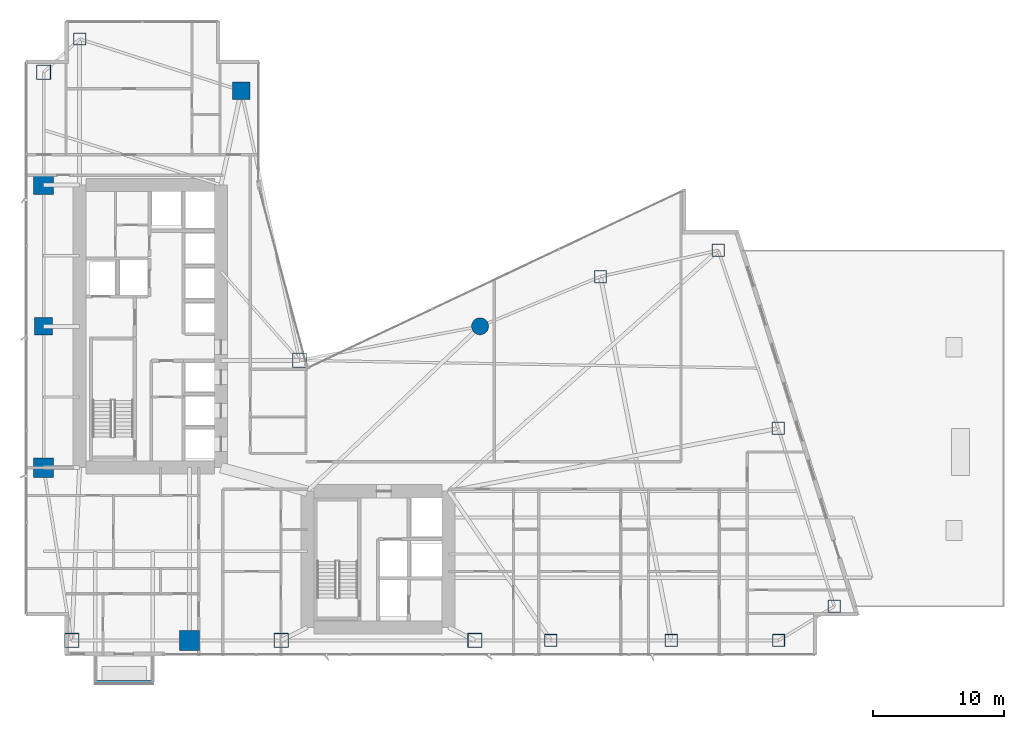
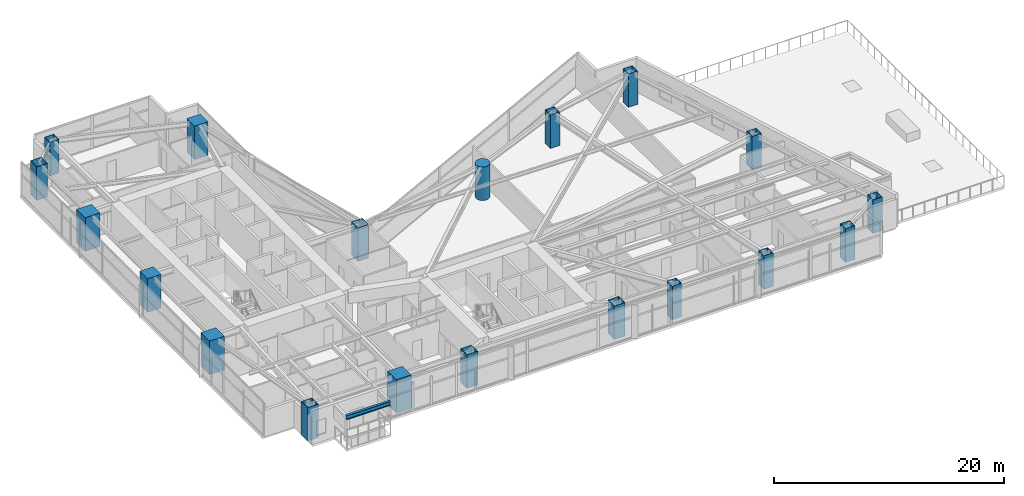
# One storey, part 1 of 30: 19 columns, 1 beam.
"""IFC4 building model written with IfcOpenShell, lengths in metres."""

from ifc_helpers import new_model, si_unit, direction, frame, origin, origin_2d, place, context, subcontext, project, spatial, rectangle, hollow_rectangle, circle, i_section, extrude, material, material_profile, profile_set, type_object, element, save


model = new_model("IFC4")

# Units and contexts
model_context = context("Model", 3, precision=1e-05, world=origin(), true_north=direction((0.0, 1.0)))
body_context = subcontext(model_context, "Body", "Model", "MODEL_VIEW")
ifc_project = project(units=[si_unit("LENGTHUNIT", "METRE"), si_unit("AREAUNIT", "SQUARE_METRE"), si_unit("VOLUMEUNIT", "CUBIC_METRE"), si_unit("PLANEANGLEUNIT", "RADIAN"), si_unit("MASSUNIT", "GRAM", prefix="KILO")], contexts=[model_context])

# Site, building, storey
site_placement = place(None, origin())
site = spatial("IfcSite", under=ifc_project, at=site_placement, CompositionType="ELEMENT")
building_placement = place(site_placement, origin())
building = spatial("IfcBuilding", under=site, at=building_placement, Name="Calvorn Quay Hotel", CompositionType="ELEMENT")
storey_placement = place(building_placement, frame((0.0, 0.0, 27.0)))
storey = spatial("IfcBuildingStorey", under=building, at=storey_placement, Name="L05", CompositionType="ELEMENT", Elevation=27.0)

# Columns
ifc_material_1 = material(Name="Concrete C60", Category="concrete")
ifc_material_profile_1 = material_profile(ifc_material_1, rectangle(XDim=1.35009765625, YDim=1.35009765625, at=origin_2d()), Name="RC1350x1350")
ifc_profile_set_1 = profile_set([ifc_material_profile_1], Name="Concrete C60")
column_type_1 = type_object("IfcColumnType", Name="COL-RC-1350", PredefinedType="COLUMN", material=ifc_profile_set_1)
for number, where, z_axis, x_axis, name in (
    (1, (1.449951171875, 27.60009765625, 0.0), (0.0, 0.0, 1.0), (1.0, 0.0, 0.0), "Column C-W3 (L05)"),
    (2, (16.550048828125, 45.60009765625, 0.0), (0.0, 0.0, 1.0), (1.0, 0.0, 0.0), "Column C-IC1 (L05)"),
):
    element("IfcColumn", number, at=place(storey_placement, frame(where, z_axis=z_axis, x_axis=x_axis)), inside=storey, type_object=column_type_1, Name=name, PredefinedType="COLUMN", context=body_context, shape_type="SweptSolid", body=[
        extrude(rectangle(XDim=1.35009765625, YDim=1.35009765625, at=origin_2d()), origin(), (0.0, 0.0, 1.0), 3.56005859375),
    ])
ifc_material_2 = material(Name="Concrete C60", Category="concrete")
ifc_material_profile_2 = material_profile(ifc_material_2, rectangle(XDim=1.5, YDim=1.5, at=origin_2d()), Name="RC1500x1500")
ifc_profile_set_2 = profile_set([ifc_material_profile_2], Name="Concrete C60")
column_type_2 = type_object("IfcColumnType", Name="COL-RC-1500", PredefinedType="COLUMN", material=ifc_profile_set_2)
for number, where, z_axis, x_axis, name in (
    (3, (1.449951171875, 16.800048828125, 0.0), (0.0, 0.0, 1.0), (1.0, 0.0, 0.0), "Column C-W2 (L05)"),
    (4, (1.449951171875, 38.39990234375, 0.0), (0.0, 0.0, 1.0), (1.0, 0.0, 0.0), "Column C-W4 (L05)"),
    (5, (12.60009765625, 3.60009765625, 0.0), (0.0, 0.0, 1.0), (1.0, 0.0, 0.0), "Column C-S1 (L05)"),
):
    element("IfcColumn", number, at=place(storey_placement, frame(where, z_axis=z_axis, x_axis=x_axis)), inside=storey, type_object=column_type_2, Name=name, PredefinedType="COLUMN", context=body_context, shape_type="SweptSolid", body=[
        extrude(rectangle(XDim=1.5, YDim=1.5, at=origin_2d()), origin(), (0.0, 0.0, 1.0), 3.56005859375),
    ])
ifc_material_3 = material(Name="Concrete C60", Category="concrete")
ifc_material_profile_3 = material_profile(ifc_material_3, circle(Radius=0.64990234375, at=origin_2d()), Name="RCD1300")
ifc_profile_set_3 = profile_set([ifc_material_profile_3], Name="Concrete C60")
column_type_3 = type_object("IfcColumnType", Name="COL-RC-D1300", PredefinedType="COLUMN", material=ifc_profile_set_3)
column_placement = place(storey_placement, frame((34.800048828125, 27.60009765625, 0.0), z_axis=(0.0, 0.0, 1.0), x_axis=(1.0, 0.0, 0.0)))
element("IfcColumn", 6, at=column_placement, inside=storey, type_object=column_type_3, Name="Column C-NC1 (L05)", PredefinedType="COLUMN", context=body_context, shape_type="SweptSolid", body=[
    extrude(circle(Radius=0.64990234375, at=origin_2d()), origin(), (0.0, 0.0, 1.0), 3.56005859375),
])
ifc_material_4 = material(Name="Steel Q420GJC", Category="steel")
ifc_material_profile_4 = material_profile(ifc_material_4, hollow_rectangle(XDim=1.10009765625, YDim=1.10009765625, WallThickness=0.044921875, at=origin_2d()), Name="BOX1100x1100x45")
ifc_profile_set_4 = profile_set([ifc_material_profile_4], Name="Steel Q420GJC")
column_type_4 = type_object("IfcColumnType", Name="COL-STL-MEGA1", PredefinedType="COLUMN", material=ifc_profile_set_4)
for number, where, z_axis, x_axis, name in (
    (7, (3.60009765625, 3.60009765625, 0.0), (0.0, 0.0, 1.0), (1.0, 0.0, 0.0), "Column C-W1 (L05)"),
    (8, (1.449951171875, 47.0, 0.0), (0.0, 0.0, 1.0), (1.0, 0.0, 0.0), "Column C-W5 (L05)"),
    (9, (21.0, 25.0, 0.0), (0.0, 0.0, 1.0), (1.0, 0.0, 0.0), "Column C-IC2 (L05)"),
    (10, (19.60009765625, 3.60009765625, 0.0), (0.0, 0.0, 1.0), (1.0, 0.0, 0.0), "Column C-S2 (L05)"),
    (11, (34.39990234375, 3.60009765625, 0.0), (0.0, 0.0, 1.0), (1.0, 0.0, 0.0), "Column C-S3 (L05)"),
):
    element("IfcColumn", number, at=place(storey_placement, frame(where, z_axis=z_axis, x_axis=x_axis)), inside=storey, type_object=column_type_4, Name=name, PredefinedType="COLUMN", context=body_context, shape_type="SweptSolid", body=[
        extrude(hollow_rectangle(XDim=1.10009765625, YDim=1.10009765625, WallThickness=0.044921875, at=origin_2d()), origin(), (0.0, 0.0, 1.0), 3.56005859375),
    ])
ifc_material_5 = material(Name="Steel Q420GJC", Category="steel")
ifc_material_profile_5 = material_profile(ifc_material_5, hollow_rectangle(XDim=0.949951171875, YDim=0.949951171875, WallThickness=0.0400390625, at=origin_2d()), Name="BOX950x950x40")
ifc_profile_set_5 = profile_set([ifc_material_profile_5], Name="Steel Q420GJC")
column_type_5 = type_object("IfcColumnType", Name="COL-STL-MEGA2", PredefinedType="COLUMN", material=ifc_profile_set_5)
for number, where, z_axis, x_axis, name in (
    (12, (4.199951171875, 49.550048828125, 0.0), (0.0, 0.0, 1.0), (1.0, 0.0, 0.0), "Column C-NW1 (L05)"),
    (13, (40.199951171875, 3.60009765625, 0.0), (0.0, 0.0, 1.0), (1.0, 0.0, 0.0), "Column C-S4 (L05)"),
    (14, (49.39990234375, 3.60009765625, 0.0), (0.0, 0.0, 1.0), (1.0, 0.0, 0.0), "Column C-S5 (L05)"),
    (15, (57.60009765625, 3.60009765625, 0.0), (0.0, 0.0, 1.0), (1.0, 0.0, 0.0), "Column C-S6 (L05)"),
    (16, (44.0, 31.39990234375, 0.0), (0.0, 0.0, 1.0), (1.0, 0.0, 0.0), "Column C-NC2 (L05)"),
    (17, (61.861083984375, 6.199951171875, 0.0), (0.0, 0.0, 1.0), (1.0, 0.0, 0.0), "Column C-ET1 (L05)"),
    (18, (57.575927734375, 19.800048828125, 0.0), (0.0, 0.0, 1.0), (1.0, 0.0, 0.0), "Column C-ET2 (L05)"),
    (19, (52.990966796875, 33.39990234375, 0.0), (0.0, 0.0, 1.0), (1.0, 0.0, 0.0), "Column C-ET3 (L05)"),
):
    element("IfcColumn", number, at=place(storey_placement, frame(where, z_axis=z_axis, x_axis=x_axis)), inside=storey, type_object=column_type_5, Name=name, PredefinedType="COLUMN", context=body_context, shape_type="SweptSolid", body=[
        extrude(hollow_rectangle(XDim=0.949951171875, YDim=0.949951171875, WallThickness=0.0400390625, at=origin_2d()), origin(), (0.0, 0.0, 1.0), 3.56005859375),
    ])

# Beam
ifc_material_6 = material(Name="Steel Q355B", Category="steel")
ifc_material_profile_6 = material_profile(ifc_material_6, i_section(OverallWidth=0.25, OverallDepth=0.449951171875, WebThickness=0.011962890625, FlangeThickness=0.01611328125, FilletRadius=0.01611328125, at=origin_2d()), Name="HN450x250x12x16")
ifc_profile_set_6 = profile_set([ifc_material_profile_6], Name="Steel Q355B")
beam_type = type_object("IfcBeamType", Name="BM-CANT-BALC", PredefinedType="BEAM", material=ifc_profile_set_6)
beam_placement = place(storey_placement, frame((5.39990234375, 0.409912109375, 3.31494140625), z_axis=(1.0, 0.0, 0.0), x_axis=(0.0, 1.0, 0.0)))
element("IfcBeam", 20, at=beam_placement, inside=storey, type_object=beam_type, Name="Beam BCBO-L06-2", PredefinedType="BEAM", context=body_context, shape_type="SweptSolid", body=[
    extrude(i_section(OverallWidth=0.25, OverallDepth=0.449951171875, WebThickness=0.011962890625, FlangeThickness=0.01611328125, FilletRadius=0.01611328125, at=origin_2d()), origin(), (0.0, 0.0, 1.0), 4.400146484375),
])

save(model, "model.ifc")
